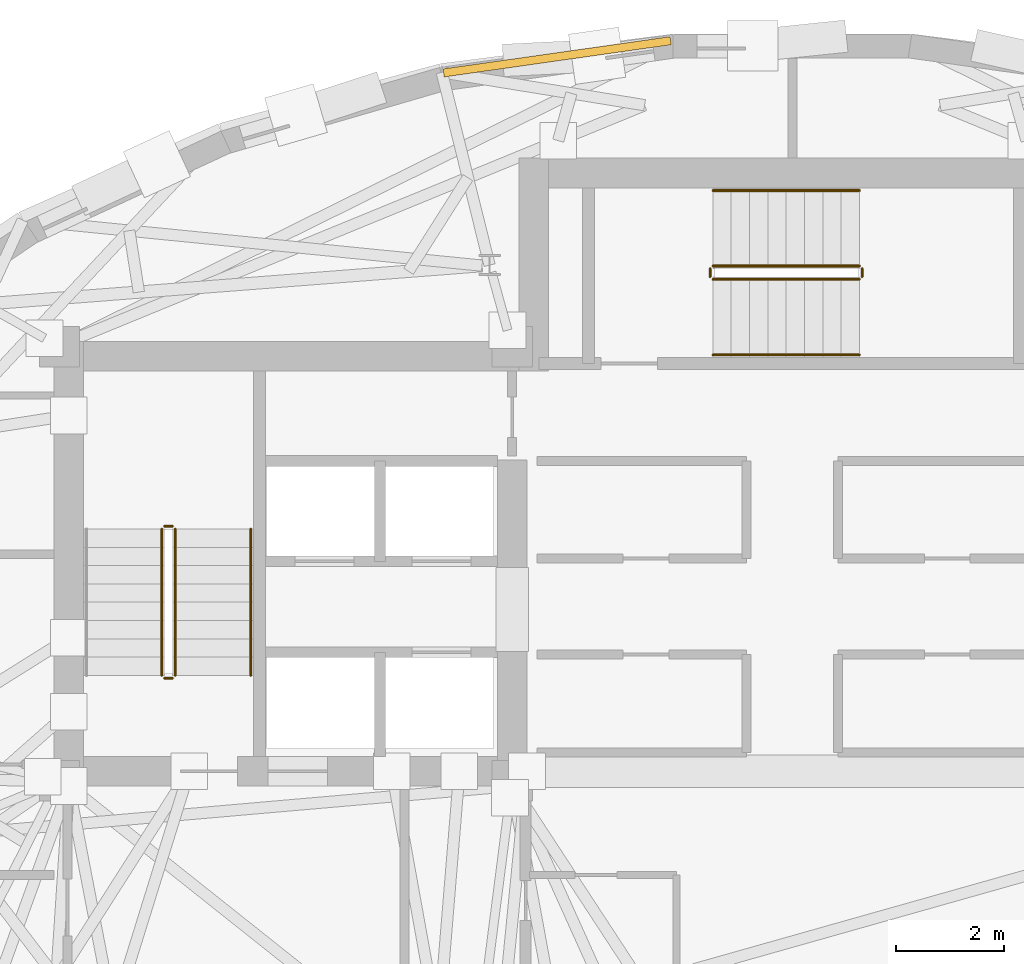
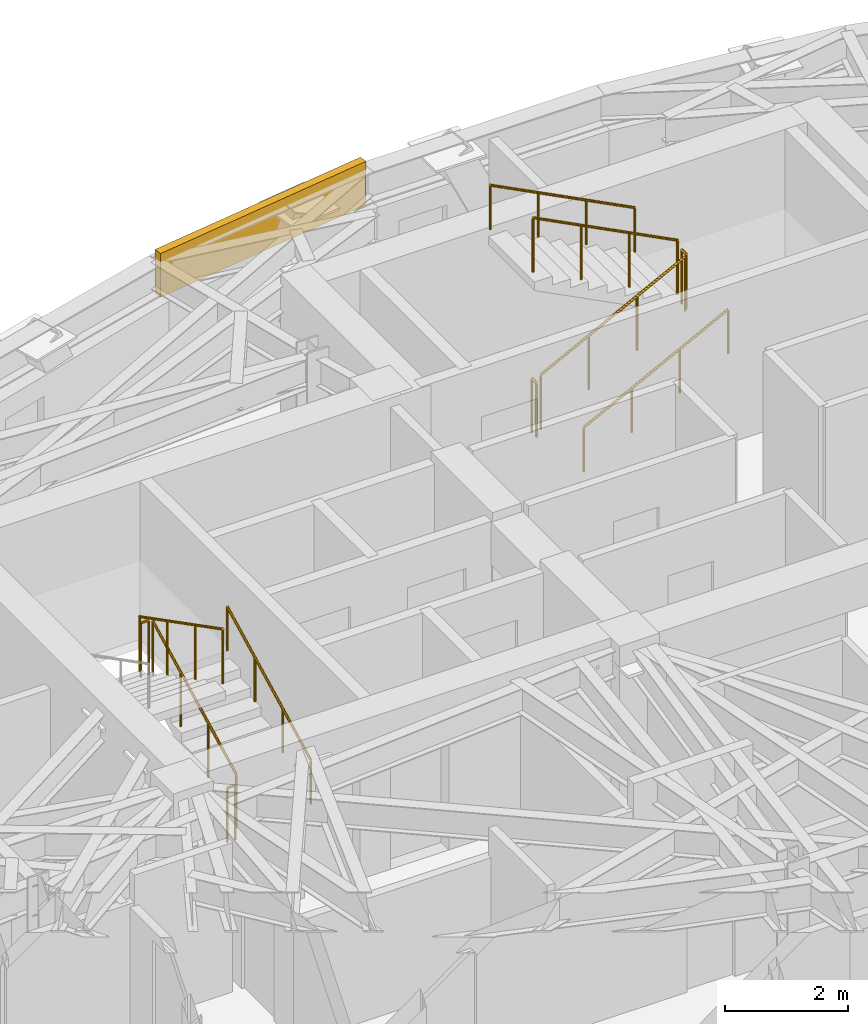
# One storey, part 11 of 12: 11 railings, 1 covering.
"""IFC4 building model written with IfcOpenShell, lengths in metres."""

from ifc_helpers import new_model, si_unit, direction, frame, origin, origin_2d, place, context, subcontext, project, spatial, rectangle, circle, extrude, material, layer, layer_set, type_object, element, save


model = new_model("IFC4")

# Units and contexts
model_context = context("Model", 3, precision=1e-05, world=origin(), true_north=direction((0.0, 1.0)))
body_context = subcontext(model_context, "Body", "Model", "MODEL_VIEW")
ifc_project = project(units=[si_unit("LENGTHUNIT", "METRE"), si_unit("AREAUNIT", "SQUARE_METRE"), si_unit("VOLUMEUNIT", "CUBIC_METRE"), si_unit("PLANEANGLEUNIT", "RADIAN"), si_unit("MASSUNIT", "GRAM", prefix="KILO")], contexts=[model_context])

# Site, building, storey
site_placement = place(None, origin())
site = spatial("IfcSite", under=ifc_project, at=site_placement, CompositionType="ELEMENT")
building_placement = place(site_placement, origin())
building = spatial("IfcBuilding", under=site, at=building_placement, Name="Keldmark Tower", CompositionType="ELEMENT")
storey_placement = place(building_placement, frame((0.0, 0.0, 228.89990234375)))
storey = spatial("IfcBuildingStorey", under=building, at=storey_placement, Name="L64", CompositionType="ELEMENT", Elevation=228.89990234375)

# Covering
ifc_material_1 = material(Name="Honed Kasota Buff Dolomitic Limestone", Category="masonry")
ifc_layer = layer(ifc_material_1, 0.074951171875)
ifc_layer_set = layer_set([ifc_layer], Name="Honed Kasota Buff Dolomitic Limestone")
covering_type = type_object("IfcCoveringType", Name="Kasota Buff Limestone Spandrel Cladding Band", PredefinedType="CLADDING", material=ifc_layer_set)
covering_placement = place(storey_placement, frame((-4.364501953125, 14.831298828125, 2.260009765625), z_axis=(0.0, 0.0, 1.0), x_axis=(-0.990075234216, -0.140538359859, 0.0)))
element("IfcCovering", 1, at=covering_placement, inside=storey, type_object=covering_type, Name="L64 Kasota Limestone Spandrel Band 09", PredefinedType="CLADDING", context=body_context, shape_type="SweptSolid", body=[
    extrude(rectangle(XDim=4.25439453125, YDim=0.14990234375, at=origin_2d()), origin(), (0.0, 0.0, 1.0), 0.8701171875),
])

# Railings
ifc_material_2 = material(Name="Painted Steel ASTM A500 Grade B", Category="steel")
railing_type_1 = type_object("IfcRailingType", Name="Painted Steel Stair Well Guard 1100 mm", PredefinedType="GUARDRAIL", material=ifc_material_2)
railing_1_placement = place(storey_placement, frame((-11.449951171875, 3.35009765625, 0.175048828125)))
element("IfcRailing", 2, at=railing_1_placement, inside=storey, type_object=railing_type_1, Name="L64 ST1 stair guard 1", PredefinedType="GUARDRAIL", context=body_context, shape_type="SweptSolid", body=[
    extrude(circle(Radius=0.02392578125, at=origin_2d()), frame((0.0, 0.0, 1.076171875), z_axis=(0.0, 0.889114319608, 0.457685182924), x_axis=(-1.0, 0.0, 0.0)), (0.0, 0.0, 1.0), 3.05908203125),
    extrude(circle(Radius=0.02099609375, at=origin_2d()), origin(), (0.0, 0.0, 1.0), 1.052001953125),
    extrude(circle(Radius=0.02099609375, at=origin_2d()), frame((0.0, 0.90673828125, 0.466796875)), (0.0, 0.0, 1.0), 1.052001953125),
    extrude(circle(Radius=0.02099609375, at=origin_2d()), frame((0.0, 1.813232421875, 0.933349609375)), (0.0, 0.0, 1.0), 1.052001953125),
    extrude(circle(Radius=0.02099609375, at=origin_2d()), frame((0.0, 2.719970703125, 1.400146484375)), (0.0, 0.0, 1.0), 1.052001953125),
])
railing_2_placement = place(storey_placement, frame((-11.5, 6.1201171875, 1.5751953125)))
element("IfcRailing", 3, at=railing_2_placement, inside=storey, type_object=railing_type_1, Name="L64 ST1 stair guard 2", PredefinedType="GUARDRAIL", context=body_context, shape_type="SweptSolid", body=[
    extrude(circle(Radius=0.02392578125, at=origin_2d()), frame((0.0, 0.0, 1.076171875), z_axis=(-1.0, 0.0, 0.0), x_axis=(0.0, -1.0, 0.0)), (0.0, 0.0, 1.0), 0.14990234375),
    extrude(circle(Radius=0.02099609375, at=origin_2d()), origin(), (0.0, 0.0, 1.0), 1.052001953125),
    extrude(circle(Radius=0.02099609375, at=origin_2d()), frame((-0.14990234375, 0.0, 0.0)), (0.0, 0.0, 1.0), 1.052001953125),
])
railing_3_placement = place(storey_placement, frame((-11.699951171875, 6.070068359375, 1.75)))
element("IfcRailing", 4, at=railing_3_placement, inside=storey, type_object=railing_type_1, Name="L64 ST1 stair guard 3", PredefinedType="GUARDRAIL", context=body_context, shape_type="SweptSolid", body=[
    extrude(circle(Radius=0.02392578125, at=origin_2d()), frame((0.0, 0.0, 1.076171875), z_axis=(0.0, -0.889114319608, 0.457685182924), x_axis=(1.0, 0.0, 0.0)), (0.0, 0.0, 1.0), 3.05908203125),
    extrude(circle(Radius=0.02099609375, at=origin_2d()), origin(), (0.0, 0.0, 1.0), 1.052001953125),
    extrude(circle(Radius=0.02099609375, at=origin_2d()), frame((0.0, -0.90673828125, 0.466796875)), (0.0, 0.0, 1.0), 1.052001953125),
    extrude(circle(Radius=0.02099609375, at=origin_2d()), frame((0.0, -1.813232421875, 0.933349609375)), (0.0, 0.0, 1.0), 1.052001953125),
    extrude(circle(Radius=0.02099609375, at=origin_2d()), frame((0.0, -2.719970703125, 1.400146484375)), (0.0, 0.0, 1.0), 1.052001953125),
])
railing_4_placement = place(storey_placement, frame((-11.5, 3.300048828125, 0.0)))
element("IfcRailing", 5, at=railing_4_placement, inside=storey, type_object=railing_type_1, Name="L64 ST1 stair guard 4", PredefinedType="GUARDRAIL", context=body_context, shape_type="SweptSolid", body=[
    extrude(circle(Radius=0.02392578125, at=origin_2d()), frame((0.0, 0.0, 1.076171875), z_axis=(-1.0, 0.0, 0.0), x_axis=(0.0, -1.0, 0.0)), (0.0, 0.0, 1.0), 0.14990234375),
    extrude(circle(Radius=0.02099609375, at=origin_2d()), origin(), (0.0, 0.0, 1.0), 1.052001953125),
    extrude(circle(Radius=0.02099609375, at=origin_2d()), frame((-0.14990234375, 0.0, 0.0)), (0.0, 0.0, 1.0), 1.052001953125),
])
railing_5_placement = place(storey_placement, frame((-1.47509765625, 10.699951171875, 0.175048828125)))
element("IfcRailing", 6, at=railing_5_placement, inside=storey, type_object=railing_type_1, Name="L64 ST3 stair guard 1", PredefinedType="GUARDRAIL", context=body_context, shape_type="SweptSolid", body=[
    extrude(circle(Radius=0.02392578125, at=origin_2d()), frame((0.0, 0.0, 1.076171875), z_axis=(0.889131035167, 0.0, 0.45765270927), x_axis=(0.0, 1.0, 0.0)), (0.0, 0.0, 1.0), 3.059326171875),
    extrude(circle(Radius=0.02099609375, at=origin_2d()), origin(), (0.0, 0.0, 1.0), 1.052001953125),
    extrude(circle(Radius=0.02099609375, at=origin_2d()), frame((0.90673828125, 0.0, 0.466796875)), (0.0, 0.0, 1.0), 1.052001953125),
    extrude(circle(Radius=0.02099609375, at=origin_2d()), frame((1.8134765625, 0.0, 0.933349609375)), (0.0, 0.0, 1.0), 1.052001953125),
    extrude(circle(Radius=0.02099609375, at=origin_2d()), frame((2.72021484375, 0.0, 1.400146484375)), (0.0, 0.0, 1.0), 1.052001953125),
])
railing_6_placement = place(storey_placement, frame((1.294921875, 10.75, 1.5751953125)))
element("IfcRailing", 7, at=railing_6_placement, inside=storey, type_object=railing_type_1, Name="L64 ST3 stair guard 2", PredefinedType="GUARDRAIL", context=body_context, shape_type="SweptSolid", body=[
    extrude(circle(Radius=0.02392578125, at=origin_2d()), frame((0.0, 0.0, 1.076171875), z_axis=(0.0, 1.0, 0.0), x_axis=(-1.0, 0.0, 0.0)), (0.0, 0.0, 1.0), 0.14990234375),
    extrude(circle(Radius=0.02099609375, at=origin_2d()), origin(), (0.0, 0.0, 1.0), 1.052001953125),
    extrude(circle(Radius=0.02099609375, at=origin_2d()), frame((0.0, 0.14990234375, 0.0)), (0.0, 0.0, 1.0), 1.052001953125),
])
railing_7_placement = place(storey_placement, frame((1.2451171875, 10.949951171875, 1.75)))
element("IfcRailing", 8, at=railing_7_placement, inside=storey, type_object=railing_type_1, Name="L64 ST3 stair guard 3", PredefinedType="GUARDRAIL", context=body_context, shape_type="SweptSolid", body=[
    extrude(circle(Radius=0.02392578125, at=origin_2d()), frame((0.0, 0.0, 1.076171875), z_axis=(-0.889131035167, 0.0, 0.45765270927), x_axis=(0.0, -1.0, 0.0)), (0.0, 0.0, 1.0), 3.059326171875),
    extrude(circle(Radius=0.02099609375, at=origin_2d()), origin(), (0.0, 0.0, 1.0), 1.052001953125),
    extrude(circle(Radius=0.02099609375, at=origin_2d()), frame((-0.90673828125, 0.0, 0.466796875)), (0.0, 0.0, 1.0), 1.052001953125),
    extrude(circle(Radius=0.02099609375, at=origin_2d()), frame((-1.8134765625, 0.0, 0.933349609375)), (0.0, 0.0, 1.0), 1.052001953125),
    extrude(circle(Radius=0.02099609375, at=origin_2d()), frame((-2.72021484375, 0.0, 1.400146484375)), (0.0, 0.0, 1.0), 1.052001953125),
])
railing_8_placement = place(storey_placement, frame((-1.52490234375, 10.75, 0.0)))
element("IfcRailing", 9, at=railing_8_placement, inside=storey, type_object=railing_type_1, Name="L64 ST3 stair guard 4", PredefinedType="GUARDRAIL", context=body_context, shape_type="SweptSolid", body=[
    extrude(circle(Radius=0.02392578125, at=origin_2d()), frame((0.0, 0.0, 1.076171875), z_axis=(0.0, 1.0, 0.0), x_axis=(-1.0, 0.0, 0.0)), (0.0, 0.0, 1.0), 0.14990234375),
    extrude(circle(Radius=0.02099609375, at=origin_2d()), origin(), (0.0, 0.0, 1.0), 1.052001953125),
    extrude(circle(Radius=0.02099609375, at=origin_2d()), frame((0.0, 0.14990234375, 0.0)), (0.0, 0.0, 1.0), 1.052001953125),
])
ifc_material_3 = material(Name="Stainless Steel AISI 316L", Category="steel")
railing_type_2 = type_object("IfcRailingType", Name="Stainless Steel Stair Handrail 900 mm", PredefinedType="HANDRAIL", material=ifc_material_3)
railing_9_placement = place(storey_placement, frame((-10.050048828125, 3.35009765625, 0.175048828125)))
element("IfcRailing", 10, at=railing_9_placement, inside=storey, type_object=railing_type_2, Name="L64 ST1 stair handrail 1", PredefinedType="HANDRAIL", context=body_context, shape_type="SweptSolid", body=[
    extrude(circle(Radius=0.02392578125, at=origin_2d()), frame((0.0, 0.0, 0.8759765625), z_axis=(0.0, 0.889114319608, 0.457685182924), x_axis=(-1.0, 0.0, 0.0)), (0.0, 0.0, 1.0), 3.05908203125),
    extrude(circle(Radius=0.02099609375, at=origin_2d()), origin(), (0.0, 0.0, 1.0), 0.851806640625),
    extrude(circle(Radius=0.02099609375, at=origin_2d()), frame((0.0, 0.90673828125, 0.466796875)), (0.0, 0.0, 1.0), 0.851806640625),
    extrude(circle(Radius=0.02099609375, at=origin_2d()), frame((0.0, 1.813232421875, 0.933349609375)), (0.0, 0.0, 1.0), 0.851806640625),
    extrude(circle(Radius=0.02099609375, at=origin_2d()), frame((0.0, 2.719970703125, 1.400146484375)), (0.0, 0.0, 1.0), 0.851806640625),
])
railing_10_placement = place(storey_placement, frame((-1.47509765625, 9.300048828125, 0.175048828125)))
element("IfcRailing", 11, at=railing_10_placement, inside=storey, type_object=railing_type_2, Name="L64 ST3 stair handrail 1", PredefinedType="HANDRAIL", context=body_context, shape_type="SweptSolid", body=[
    extrude(circle(Radius=0.02392578125, at=origin_2d()), frame((0.0, 0.0, 0.8759765625), z_axis=(0.889131035167, 0.0, 0.45765270927), x_axis=(0.0, 1.0, 0.0)), (0.0, 0.0, 1.0), 3.059326171875),
    extrude(circle(Radius=0.02099609375, at=origin_2d()), origin(), (0.0, 0.0, 1.0), 0.851806640625),
    extrude(circle(Radius=0.02099609375, at=origin_2d()), frame((0.90673828125, 0.0, 0.466796875)), (0.0, 0.0, 1.0), 0.851806640625),
    extrude(circle(Radius=0.02099609375, at=origin_2d()), frame((1.8134765625, 0.0, 0.933349609375)), (0.0, 0.0, 1.0), 0.851806640625),
    extrude(circle(Radius=0.02099609375, at=origin_2d()), frame((2.72021484375, 0.0, 1.400146484375)), (0.0, 0.0, 1.0), 0.851806640625),
])
railing_11_placement = place(storey_placement, frame((1.2451171875, 12.35009765625, 1.75)))
element("IfcRailing", 12, at=railing_11_placement, inside=storey, type_object=railing_type_2, Name="L64 ST3 stair handrail 2", PredefinedType="HANDRAIL", context=body_context, shape_type="SweptSolid", body=[
    extrude(circle(Radius=0.02392578125, at=origin_2d()), frame((0.0, 0.0, 0.8759765625), z_axis=(-0.889131035167, 0.0, 0.45765270927), x_axis=(0.0, -1.0, 0.0)), (0.0, 0.0, 1.0), 3.059326171875),
    extrude(circle(Radius=0.02099609375, at=origin_2d()), origin(), (0.0, 0.0, 1.0), 0.851806640625),
    extrude(circle(Radius=0.02099609375, at=origin_2d()), frame((-0.90673828125, 0.0, 0.466796875)), (0.0, 0.0, 1.0), 0.851806640625),
    extrude(circle(Radius=0.02099609375, at=origin_2d()), frame((-1.8134765625, 0.0, 0.933349609375)), (0.0, 0.0, 1.0), 0.851806640625),
    extrude(circle(Radius=0.02099609375, at=origin_2d()), frame((-2.72021484375, 0.0, 1.400146484375)), (0.0, 0.0, 1.0), 0.851806640625),
])

save(model, "model.ifc")
